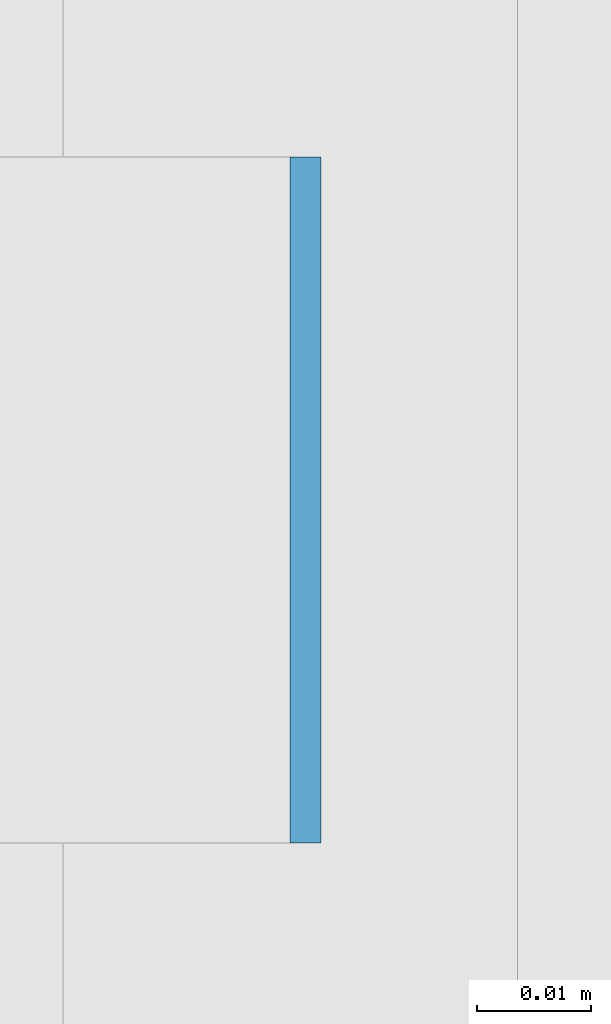
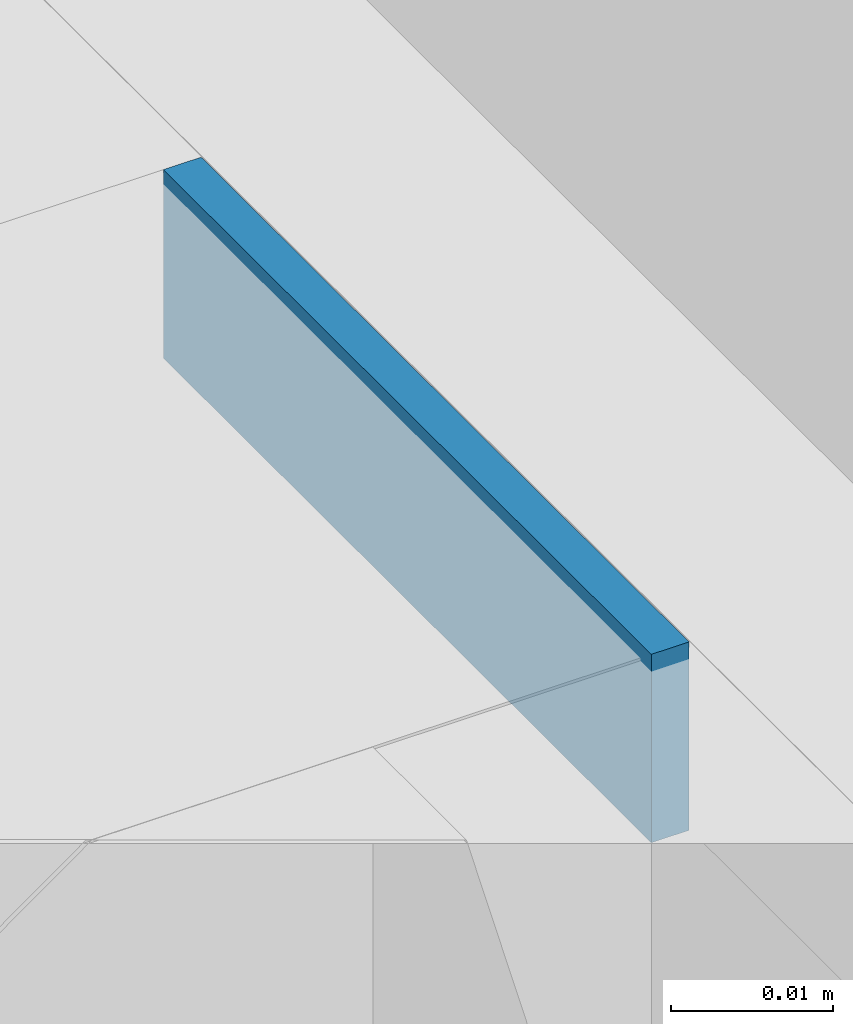
# One storey, part 241 of 646: 1 discrete accessory.
"""IFC4 building model written with IfcOpenShell, lengths in metres."""

from ifc_helpers import new_model, si_unit, direction, frame, origin, origin_2d, place, context, subcontext, project, spatial, rectangle, extrude, material, type_object, element, save


model = new_model("IFC4")

# Units and contexts
model_context = context("Model", 3, precision=1e-05, world=origin(), true_north=direction((0.0, 1.0)))
body_context = subcontext(model_context, "Body", "Model", "MODEL_VIEW")
ifc_project = project(units=[si_unit("LENGTHUNIT", "METRE"), si_unit("AREAUNIT", "SQUARE_METRE"), si_unit("VOLUMEUNIT", "CUBIC_METRE"), si_unit("PLANEANGLEUNIT", "RADIAN"), si_unit("MASSUNIT", "GRAM", prefix="KILO")], contexts=[model_context])

# Site, building, storey
site_placement = place(None, origin())
site = spatial("IfcSite", under=ifc_project, at=site_placement, CompositionType="ELEMENT")
building_placement = place(site_placement, origin())
building = spatial("IfcBuilding", under=site, at=building_placement, Name="Silverbay Arena", CompositionType="ELEMENT")
storey_placement = place(building_placement, frame((0.0, 0.0, 33.5)))
storey = spatial("IfcBuildingStorey", under=building, at=storey_placement, Name="L05", CompositionType="ELEMENT", Elevation=33.5)

# Discrete accessory
ifc_material = material(Name="Steel S355", Category="steel")
discrete_accessory_type = type_object("IfcDiscreteAccessoryType", Name="Steel bracket plate", PredefinedType="BRACKET", material=ifc_material)
discrete_accessory_placement = place(storey_placement, frame((53.871337890625, 28.833251953125, 12.98583984375), z_axis=(0.0, 0.0, 1.0), x_axis=(1.0, 0.0, 0.0)))
element("IfcDiscreteAccessory", 1, at=discrete_accessory_placement, inside=storey, type_object=discrete_accessory_type, Name="Curtain wall packing plate", PredefinedType="BRACKET", context=body_context, shape_type="SweptSolid", body=[
    extrude(rectangle(XDim=0.002685546875, YDim=0.06005859375, at=origin_2d()), origin(), (0.0, 0.0, 1.0), 0.01416015625),
])

save(model, "model.ifc")
